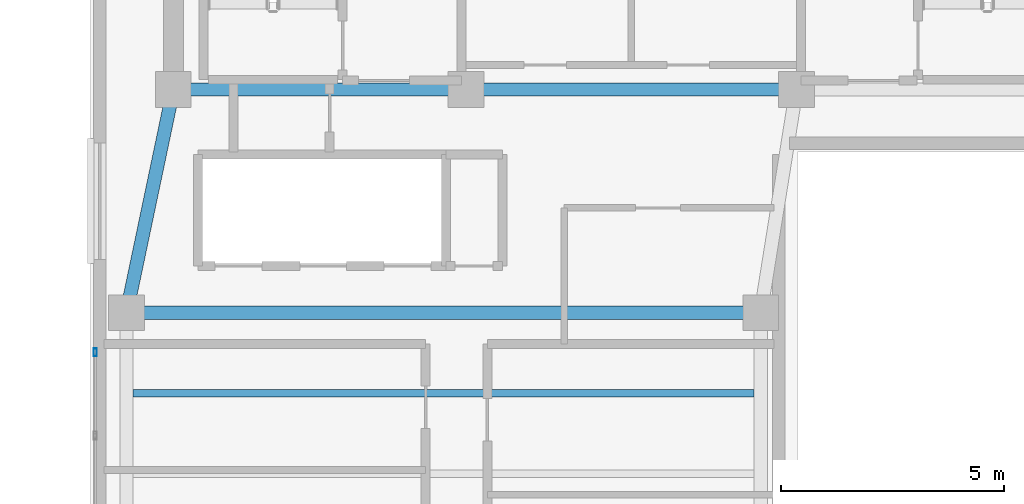
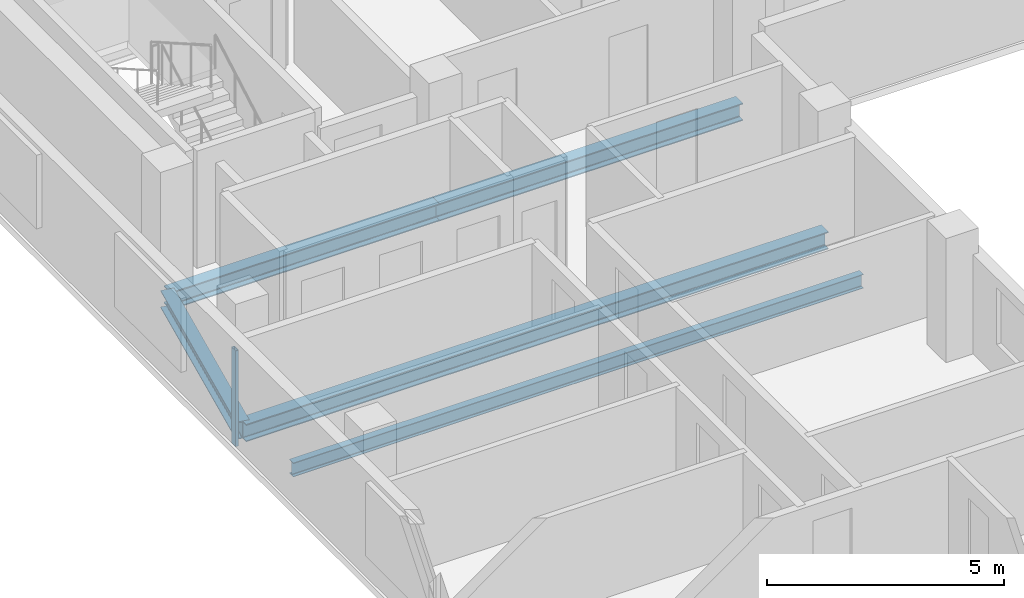
# One storey, part 6 of 11: 5 beams, 1 member, 1 element without a shape of its own.
"""IFC4 building model written with IfcOpenShell, lengths in metres."""

from ifc_helpers import new_model, si_unit, direction, frame, origin, origin_2d, place, context, subcontext, project, spatial, hollow_rectangle, i_section, extrude, material, material_profile, profile_set, type_object, element, aggregate, save


model = new_model("IFC4")

# Units and contexts
model_context = context("Model", 3, precision=1e-05, world=origin(), true_north=direction((0.0, 1.0)))
body_context = subcontext(model_context, "Body", "Model", "MODEL_VIEW")
ifc_project = project(units=[si_unit("LENGTHUNIT", "METRE"), si_unit("AREAUNIT", "SQUARE_METRE"), si_unit("VOLUMEUNIT", "CUBIC_METRE"), si_unit("PLANEANGLEUNIT", "RADIAN"), si_unit("MASSUNIT", "GRAM", prefix="KILO")], contexts=[model_context])

# Site, building, storey
site_placement = place(None, origin())
site = spatial("IfcSite", under=ifc_project, at=site_placement, CompositionType="ELEMENT")
building_placement = place(site_placement, origin())
building = spatial("IfcBuilding", under=site, at=building_placement, Name="Kuzgunbayir Cultural Tower", CompositionType="ELEMENT")
storey_placement = place(building_placement, frame((0.0, 0.0, 237.60009765625)))
storey = spatial("IfcBuildingStorey", under=building, at=storey_placement, Name="L70", CompositionType="ELEMENT", Elevation=237.60009765625)

# Beams
ifc_material_1 = material(Name="Steel S355J2", Category="steel")
ifc_material_profile_1 = material_profile(ifc_material_1, i_section(OverallWidth=0.300048828125, OverallDepth=0.449951171875, WebThickness=0.013916015625, FlangeThickness=0.02587890625, FilletRadius=0.027099609375, at=origin_2d()), Name="HEB 450")
ifc_profile_set_1 = profile_set([ifc_material_profile_1], Name="Steel S355J2")
beam_type_1 = type_object("IfcBeamType", Name="BM-GIR-HEB450", PredefinedType="BEAM", material=ifc_profile_set_1)
beam_1_placement = place(storey_placement, frame((6.449951171875, 33.800048828125, -0.41015625), z_axis=(1.0, 0.0, 0.0), x_axis=(0.0, 1.0, 0.0)))
element("IfcBeam", 1, at=beam_1_placement, inside=storey, type_object=beam_type_1, Name="L70 Core South Girder 1", PredefinedType="BEAM", context=body_context, shape_type="SweptSolid", body=[
    extrude(i_section(OverallWidth=0.300048828125, OverallDepth=0.449951171875, WebThickness=0.013916015625, FlangeThickness=0.02587890625, FilletRadius=0.027099609375, at=origin_2d()), origin(), (0.0, 0.0, 1.0), 6.550048828125),
])
beam_2_placement = place(storey_placement, frame((13.0, 33.800048828125, -0.41015625), z_axis=(1.0, 0.0, 0.0), x_axis=(0.0, 1.0, 0.0)))
element("IfcBeam", 2, at=beam_2_placement, inside=storey, type_object=beam_type_1, Name="L70 Core South Girder 2", PredefinedType="BEAM", context=body_context, shape_type="SweptSolid", body=[
    extrude(i_section(OverallWidth=0.300048828125, OverallDepth=0.449951171875, WebThickness=0.013916015625, FlangeThickness=0.02587890625, FilletRadius=0.027099609375, at=origin_2d()), origin(), (0.0, 0.0, 1.0), 7.39990234375),
])
beam_3_placement = place(storey_placement, frame((5.39990234375, 28.800048828125, -0.41015625), z_axis=(1.0, 0.0, 0.0), x_axis=(0.0, 1.0, 0.0)))
element("IfcBeam", 3, at=beam_3_placement, inside=storey, type_object=beam_type_1, Name="L70 Wing A Transverse Girder 4", PredefinedType="BEAM", context=body_context, shape_type="SweptSolid", body=[
    extrude(i_section(OverallWidth=0.300048828125, OverallDepth=0.449951171875, WebThickness=0.013916015625, FlangeThickness=0.02587890625, FilletRadius=0.027099609375, at=origin_2d()), origin(), (0.0, 0.0, 1.0), 14.2001953125),
])
beam_4_placement = place(storey_placement, frame((5.39990234375, 28.800048828125, -0.41015625), z_axis=(0.205526387753, 0.978651574329, 0.0), x_axis=(-0.978651574329, 0.205526387753, 0.0)))
element("IfcBeam", 4, at=beam_4_placement, inside=storey, type_object=beam_type_1, Name="L70 Wing A West Core Floor Girder", PredefinedType="BEAM", context=body_context, shape_type="SweptSolid", body=[
    extrude(i_section(OverallWidth=0.300048828125, OverallDepth=0.449951171875, WebThickness=0.013916015625, FlangeThickness=0.02587890625, FilletRadius=0.027099609375, at=origin_2d()), origin(), (0.0, 0.0, 1.0), 5.109130859375),
])
ifc_material_profile_2 = material_profile(ifc_material_1, i_section(OverallWidth=0.169921875, OverallDepth=0.360107421875, WebThickness=0.008056640625, FlangeThickness=0.0126953125, FilletRadius=0.01806640625, at=origin_2d()), Name="IPE 360")
ifc_profile_set_2 = profile_set([ifc_material_profile_2], Name="Steel S355J2")
beam_type_2 = type_object("IfcBeamType", Name="BM-JST-IPE360", PredefinedType="JOIST", material=ifc_profile_set_2)
beam_5_placement = place(storey_placement, frame((5.550048828125, 27.0, -0.360107421875), z_axis=(1.0, 0.0, 0.0), x_axis=(0.0, 1.0, 0.0)))
element("IfcBeam", 5, at=beam_5_placement, inside=storey, type_object=beam_type_2, Name="L70 Wing A Secondary Joist 6", PredefinedType="JOIST", context=body_context, shape_type="SweptSolid", body=[
    extrude(i_section(OverallWidth=0.169921875, OverallDepth=0.360107421875, WebThickness=0.008056640625, FlangeThickness=0.0126953125, FilletRadius=0.01806640625, at=origin_2d()), origin(), (0.0, 0.0, 1.0), 13.89990234375),
])

# Curtain wall, member
ifc_material_2 = material(Name="Anodised Aluminium Framing", Category="aluminium")
curtain_wall_type = type_object("IfcCurtainWallType", Name="CW06-OBSERVATORY", PredefinedType="NOTDEFINED", material=ifc_material_2)
curtain_wall_placement = place(storey_placement, origin())
curtain_wall = element("IfcCurtainWall", 6, at=curtain_wall_placement, inside=storey, type_object=curtain_wall_type, Name="L70 Crown Observatory West Curtain Wall", PredefinedType="NOTDEFINED")
ifc_material_profile_3 = material_profile(ifc_material_2, hollow_rectangle(XDim=0.074951171875, YDim=0.179931640625, WallThickness=0.0048828125, at=origin_2d()), Name="RHS 180x75x5")
ifc_profile_set_3 = profile_set([ifc_material_profile_3], Name="Anodised Aluminium Framing")
member_type = type_object("IfcMemberType", Name="MEM-CW-MULLION-180", PredefinedType="MULLION", material=ifc_profile_set_3)
member_placement = place(storey_placement, frame((4.699951171875, 27.91259765625, 0.0), z_axis=(0.0, 0.0, 1.0), x_axis=(-1.0, 0.0, 0.0)))
member = element("IfcMember", 7, at=member_placement, type_object=member_type, Name="CW06 mullion 3", PredefinedType="MULLION", context=body_context, shape_type="SweptSolid", body=[
    extrude(hollow_rectangle(XDim=0.074951171875, YDim=0.179931640625, WallThickness=0.0048828125, at=origin_2d()), origin(), (0.0, 0.0, 1.0), 2.469970703125),
])
aggregate(curtain_wall, [member])

save(model, "model.ifc")
